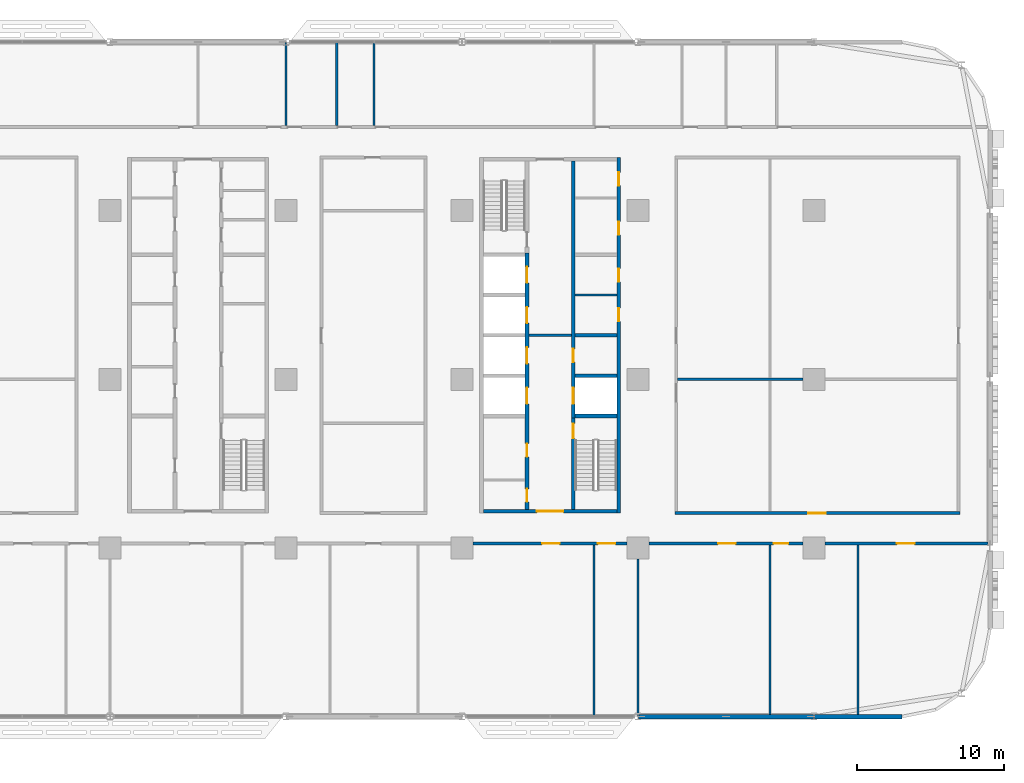
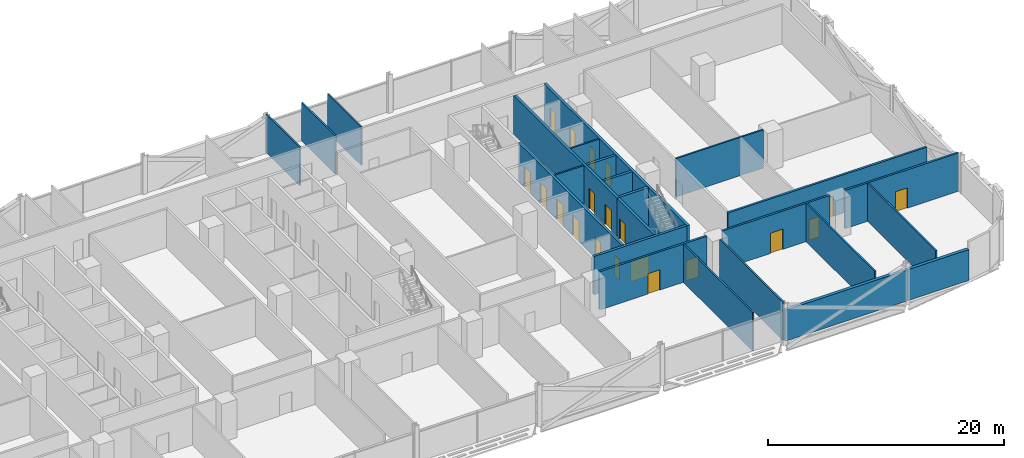
# One storey, part 16 of 29: 24 walls, 20 doors, 20 openings.
"""IFC4 building model written with IfcOpenShell, lengths in metres."""

from ifc_helpers import new_model, si_unit, direction, frame, frame_2d, origin, place, context, subcontext, project, spatial, rectangle, extrude, material, layer, layer_set, type_object, element, fill, save


model = new_model("IFC4")

# Units and contexts
model_context = context("Model", 3, precision=1e-05, world=origin(), true_north=direction((0.0, 1.0)))
body_context = subcontext(model_context, "Body", "Model", "MODEL_VIEW")
ifc_project = project(units=[si_unit("LENGTHUNIT", "METRE"), si_unit("AREAUNIT", "SQUARE_METRE"), si_unit("VOLUMEUNIT", "CUBIC_METRE"), si_unit("PLANEANGLEUNIT", "RADIAN"), si_unit("MASSUNIT", "GRAM", prefix="KILO")], contexts=[model_context])

# Site, building, storey
site_placement = place(None, origin())
site = spatial("IfcSite", under=ifc_project, at=site_placement, CompositionType="ELEMENT")
building_placement = place(site_placement, origin())
building = spatial("IfcBuilding", under=site, at=building_placement, Name="Mahtab Terrace Research Tower", CompositionType="ELEMENT")
storey_placement = place(building_placement, frame((0.0, 0.0, 71.800048828125)))
storey = spatial("IfcBuildingStorey", under=building, at=storey_placement, Name="L16", CompositionType="ELEMENT", Elevation=71.800048828125)

# Walls
ifc_material_1 = material(Name="Gypsum board partition")
ifc_layer_1 = layer(ifc_material_1, 0.14990234375)
ifc_layer_set_1 = layer_set([ifc_layer_1], Name="Core partition 150")
wall_type_1 = type_object("IfcWallType", Name="Core partition 150", PredefinedType="PARTITIONING", material=ifc_layer_set_1)
wall_1_placement = place(storey_placement, frame((22.550048828125, 3.0, 0.0), z_axis=(0.0, 0.0, 1.0), x_axis=(1.0, 0.0, 0.0)))
element("IfcWall", 1, at=wall_1_placement, inside=storey, type_object=wall_type_1, Name="Core wall C ffl", PredefinedType="PARTITIONING", context=body_context, shape_type="SweptSolid", body=[
    extrude(rectangle(XDim=2.89990234375, YDim=0.14990234375, at=frame_2d((1.449951171875, 0.0))), origin(), (0.0, 0.0, 1.0), 3.9599609375),
])
wall_2_placement = place(storey_placement, frame((25.699951171875, 5.75, 0.0), z_axis=(0.0, 0.0, 1.0), x_axis=(1.0, 0.0, 0.0)))
element("IfcWall", 2, at=wall_2_placement, inside=storey, type_object=wall_type_1, Name="Core wall C pEL275", PredefinedType="PARTITIONING", context=body_context, shape_type="SweptSolid", body=[
    extrude(rectangle(XDim=2.85009765625, YDim=0.14990234375, at=frame_2d((1.425048828125, 0.0))), origin(), (0.0, 0.0, 1.0), 3.9599609375),
])

# Wall, openings, doors
ifc_material_2 = material(Name="Concrete C70/85", Category="concrete")
ifc_layer_2 = layer(ifc_material_2, 0.25)
ifc_layer_set_2 = layer_set([ifc_layer_2], Name="Core wall 250")
wall_type_2 = type_object("IfcWallType", Name="Core wall 250", PredefinedType="SOLIDWALL", material=ifc_layer_set_2)
wall_3_placement = place(storey_placement, frame((28.675048828125, -9.125, 0.0), z_axis=(0.0, 0.0, 1.0), x_axis=(0.0, 1.0, 0.0)))
wall_3 = element("IfcWall", 3, at=wall_3_placement, inside=storey, type_object=wall_type_2, Name="Core wall C outerE", PredefinedType="SOLIDWALL", context=body_context, shape_type="SweptSolid", body=[
    extrude(rectangle(XDim=24.25, YDim=0.25, at=frame_2d((12.125, 0.0))), origin(), (0.0, 0.0, 1.0), 3.9599609375),
])
opening_1_placement = place(wall_3_placement, frame((13.074951171875, 0.0, 0.0)))
opening_1 = element("IfcOpeningElement", 4, at=opening_1_placement, cuts=wall_3, Name="Opening C-R2", PredefinedType="OPENING", context=body_context, shape_type="SweptSolid", body=[
    extrude(rectangle(XDim=0.89990234375, YDim=2.10009765625, at=frame_2d((0.449951171875, 1.050048828125))), frame((0.0, 0.135009765625, 0.0), z_axis=(0.0, -1.0, 0.0), x_axis=(1.0, 0.0, 0.0)), (0.0, 0.0, 1.0), 0.27001953125),
])
opening_2_placement = place(wall_3_placement, frame((15.77490234375, 0.0, 0.0)))
opening_2 = element("IfcOpeningElement", 5, at=opening_2_placement, cuts=wall_3, Name="Opening C-R3", PredefinedType="OPENING", context=body_context, shape_type="SweptSolid", body=[
    extrude(rectangle(XDim=0.89990234375, YDim=2.10009765625, at=frame_2d((0.449951171875, 1.050048828125))), frame((0.0, 0.135009765625, 0.0), z_axis=(0.0, -1.0, 0.0), x_axis=(1.0, 0.0, 0.0)), (0.0, 0.0, 1.0), 0.27001953125),
])
opening_3_placement = place(wall_3_placement, frame((18.97509765625, 0.0, 0.0)))
opening_3 = element("IfcOpeningElement", 6, at=opening_3_placement, cuts=wall_3, Name="Opening C-R6", PredefinedType="OPENING", context=body_context, shape_type="SweptSolid", body=[
    extrude(rectangle(XDim=0.89990234375, YDim=2.10009765625, at=frame_2d((0.449951171875, 1.050048828125))), frame((0.0, 0.135009765625, 0.0), z_axis=(0.0, -1.0, 0.0), x_axis=(1.0, 0.0, 0.0)), (0.0, 0.0, 1.0), 0.27001953125),
])
opening_4_placement = place(wall_3_placement, frame((22.327392578125, 0.0, 0.0)))
opening_4 = element("IfcOpeningElement", 7, at=opening_4_placement, cuts=wall_3, Name="Opening C-R7", PredefinedType="OPENING", context=body_context, shape_type="SweptSolid", body=[
    extrude(rectangle(XDim=0.89990234375, YDim=2.10009765625, at=frame_2d((0.449951171875, 1.050048828125))), frame((0.0, 0.135009765625, 0.0), z_axis=(0.0, -1.0, 0.0), x_axis=(1.0, 0.0, 0.0)), (0.0, 0.0, 1.0), 0.27001953125),
])
ifc_material_3 = material(Name="Steel fire door", Category="steel")
door_type_1 = type_object("IfcDoorType", Name="Room door 900x2100 1 HR", OperationType="NOTDEFINED", PredefinedType="DOOR", material=ifc_material_3)
door_1_placement = place(opening_1_placement, origin())
door_1 = element("IfcDoor", 8, at=door_1_placement, inside=storey, type_object=door_type_1, Name="Document store door", OperationType="SINGLE_SWING_RIGHT", OverallHeight=2.10009765625, OverallWidth=0.89990234375, PredefinedType="DOOR", context=body_context, shape_type="SweptSolid", body=[
    extrude(rectangle(XDim=0.89990234375, YDim=2.10009765625, at=frame_2d((0.449951171875, 1.050048828125))), frame((0.0, 0.02490234375, 0.0), z_axis=(0.0, -1.0, 0.0), x_axis=(1.0, 0.0, 0.0)), (0.0, 0.0, 1.0), 0.050048828125),
])
fill(opening_1, door_1)
door_2_placement = place(opening_2_placement, origin())
door_2 = element("IfcDoor", 9, at=door_2_placement, inside=storey, type_object=door_type_1, Name="IT equipment room door", OperationType="SINGLE_SWING_LEFT", OverallHeight=2.10009765625, OverallWidth=0.89990234375, PredefinedType="DOOR", context=body_context, shape_type="SweptSolid", body=[
    extrude(rectangle(XDim=0.89990234375, YDim=2.10009765625, at=frame_2d((0.449951171875, 1.050048828125))), frame((0.0, 0.02490234375, 0.0), z_axis=(0.0, -1.0, 0.0), x_axis=(1.0, 0.0, 0.0)), (0.0, 0.0, 1.0), 0.050048828125),
])
fill(opening_2, door_2)
door_3_placement = place(opening_3_placement, origin())
door_3 = element("IfcDoor", 10, at=door_3_placement, inside=storey, type_object=door_type_1, Name="Pantry door", OperationType="SINGLE_SWING_RIGHT", OverallHeight=2.10009765625, OverallWidth=0.89990234375, PredefinedType="DOOR", context=body_context, shape_type="SweptSolid", body=[
    extrude(rectangle(XDim=0.89990234375, YDim=2.10009765625, at=frame_2d((0.449951171875, 1.050048828125))), frame((0.0, 0.02490234375, 0.0), z_axis=(0.0, -1.0, 0.0), x_axis=(1.0, 0.0, 0.0)), (0.0, 0.0, 1.0), 0.050048828125),
])
fill(opening_3, door_3)
door_4_placement = place(opening_4_placement, origin())
door_4 = element("IfcDoor", 11, at=door_4_placement, inside=storey, type_object=door_type_1, Name="Linen store door", OperationType="SINGLE_SWING_LEFT", OverallHeight=2.10009765625, OverallWidth=0.89990234375, PredefinedType="DOOR", context=body_context, shape_type="SweptSolid", body=[
    extrude(rectangle(XDim=0.89990234375, YDim=2.10009765625, at=frame_2d((0.449951171875, 1.050048828125))), frame((0.0, 0.02490234375, 0.0), z_axis=(0.0, -1.0, 0.0), x_axis=(1.0, 0.0, 0.0)), (0.0, 0.0, 1.0), 0.050048828125),
])
fill(opening_4, door_4)

# Wall, opening, door
wall_4_placement = place(storey_placement, frame((28.550048828125, -9.0, 0.0), z_axis=(0.0, 0.0, 1.0), x_axis=(-1.0, 0.0, 0.0)))
wall_4 = element("IfcWall", 12, at=wall_4_placement, inside=storey, type_object=wall_type_2, Name="Core wall C endS", PredefinedType="SOLIDWALL", context=body_context, shape_type="SweptSolid", body=[
    extrude(rectangle(XDim=9.10009765625, YDim=0.25, at=frame_2d((4.550048828125, 0.0))), origin(), (0.0, 0.0, 1.0), 3.9599609375),
])
opening_5_placement = place(wall_4_placement, frame((3.64990234375, 0.0, 0.0)))
opening_5 = element("IfcOpeningElement", 13, at=opening_5_placement, cuts=wall_4, Name="Opening C-S1", PredefinedType="OPENING", context=body_context, shape_type="SweptSolid", body=[
    extrude(rectangle(XDim=1.800048828125, YDim=2.10009765625, at=frame_2d((0.89990234375, 1.050048828125))), frame((0.0, 0.135009765625, 0.0), z_axis=(0.0, -1.0, 0.0), x_axis=(1.0, 0.0, 0.0)), (0.0, 0.0, 1.0), 0.27001953125),
])
door_type_2 = type_object("IfcDoorType", Name="Lobby double door 1800x2100 1 HR", OperationType="DOUBLE_DOOR_SINGLE_SWING", PredefinedType="DOOR", material=ifc_material_3)
door_5_placement = place(opening_5_placement, origin())
door_5 = element("IfcDoor", 14, at=door_5_placement, inside=storey, type_object=door_type_2, Name="Core entrance door C S", OperationType="DOUBLE_DOOR_SINGLE_SWING", OverallHeight=2.10009765625, OverallWidth=1.800048828125, PredefinedType="DOOR", context=body_context, shape_type="SweptSolid", body=[
    extrude(rectangle(XDim=1.800048828125, YDim=2.10009765625, at=frame_2d((0.89990234375, 1.050048828125))), frame((0.0, 0.02490234375, 0.0), z_axis=(0.0, -1.0, 0.0), x_axis=(1.0, 0.0, 0.0)), (0.0, 0.0, 1.0), 0.050048828125),
])
fill(opening_5, door_5)

# Wall, openings, doors
wall_5_placement = place(storey_placement, frame((22.425048828125, -8.875, 0.0), z_axis=(0.0, 0.0, 1.0), x_axis=(0.0, 1.0, 0.0)))
wall_5 = element("IfcWall", 15, at=wall_5_placement, inside=storey, type_object=wall_type_2, Name="Core wall C innerWSL", PredefinedType="SOLIDWALL", context=body_context, shape_type="SweptSolid", body=[
    extrude(rectangle(XDim=17.5, YDim=0.25, at=frame_2d((8.75, 0.0))), origin(), (0.0, 0.0, 1.0), 3.9599609375),
])
opening_6_placement = place(wall_5_placement, frame((7.199951171875, 0.0, 0.0)))
opening_6 = element("IfcOpeningElement", 16, at=opening_6_placement, cuts=wall_5, Name="Opening LD17-L16", PredefinedType="OPENING", context=body_context, shape_type="SweptSolid", body=[
    extrude(rectangle(XDim=1.10009765625, YDim=2.10009765625, at=frame_2d((0.550048828125, 1.050048828125))), frame((0.0, 0.135009765625, 0.0), z_axis=(0.0, -1.0, 0.0), x_axis=(1.0, 0.0, 0.0)), (0.0, 0.0, 1.0), 0.27001953125),
])
opening_7_placement = place(wall_5_placement, frame((9.949951171875, 0.0, 0.0)))
opening_7 = element("IfcOpeningElement", 17, at=opening_7_placement, cuts=wall_5, Name="Opening LD18-L16", PredefinedType="OPENING", context=body_context, shape_type="SweptSolid", body=[
    extrude(rectangle(XDim=1.10009765625, YDim=2.10009765625, at=frame_2d((0.550048828125, 1.050048828125))), frame((0.0, 0.135009765625, 0.0), z_axis=(0.0, -1.0, 0.0), x_axis=(1.0, 0.0, 0.0)), (0.0, 0.0, 1.0), 0.27001953125),
])
opening_8_placement = place(wall_5_placement, frame((12.699951171875, 0.0, 0.0)))
opening_8 = element("IfcOpeningElement", 18, at=opening_8_placement, cuts=wall_5, Name="Opening LD19-L16", PredefinedType="OPENING", context=body_context, shape_type="SweptSolid", body=[
    extrude(rectangle(XDim=1.10009765625, YDim=2.10009765625, at=frame_2d((0.550048828125, 1.050048828125))), frame((0.0, 0.135009765625, 0.0), z_axis=(0.0, -1.0, 0.0), x_axis=(1.0, 0.0, 0.0)), (0.0, 0.0, 1.0), 0.27001953125),
])
opening_9_placement = place(wall_5_placement, frame((15.449951171875, 0.0, 0.0)))
opening_9 = element("IfcOpeningElement", 19, at=opening_9_placement, cuts=wall_5, Name="Opening LD20-L16", PredefinedType="OPENING", context=body_context, shape_type="SweptSolid", body=[
    extrude(rectangle(XDim=1.10009765625, YDim=2.10009765625, at=frame_2d((0.550048828125, 1.050048828125))), frame((0.0, 0.135009765625, 0.0), z_axis=(0.0, -1.0, 0.0), x_axis=(1.0, 0.0, 0.0)), (0.0, 0.0, 1.0), 0.27001953125),
])
opening_10_placement = place(wall_5_placement, frame((0.512451171875, 0.0, 0.0)))
opening_10 = element("IfcOpeningElement", 20, at=opening_10_placement, cuts=wall_5, Name="Opening C-R4", PredefinedType="OPENING", context=body_context, shape_type="SweptSolid", body=[
    extrude(rectangle(XDim=0.89990234375, YDim=2.10009765625, at=frame_2d((0.449951171875, 1.050048828125))), frame((0.0, 0.135009765625, 0.0), z_axis=(0.0, -1.0, 0.0), x_axis=(1.0, 0.0, 0.0)), (0.0, 0.0, 1.0), 0.27001953125),
])
opening_11_placement = place(wall_5_placement, frame((3.58740234375, 0.0, 0.0)))
opening_11 = element("IfcOpeningElement", 21, at=opening_11_placement, cuts=wall_5, Name="Opening C-R5", PredefinedType="OPENING", context=body_context, shape_type="SweptSolid", body=[
    extrude(rectangle(XDim=0.89990234375, YDim=2.10009765625, at=frame_2d((0.449951171875, 1.050048828125))), frame((0.0, 0.135009765625, 0.0), z_axis=(0.0, -1.0, 0.0), x_axis=(1.0, 0.0, 0.0)), (0.0, 0.0, 1.0), 0.27001953125),
])
ifc_material_4 = material(Name="Stainless steel AISI 304", Category="steel")
door_type_3 = type_object("IfcDoorType", Name="Landing door 1100x2100", OperationType="DOUBLE_DOOR_SLIDING", PredefinedType="DOOR", material=ifc_material_4)
door_6_placement = place(opening_6_placement, origin())
door_6 = element("IfcDoor", 22, at=door_6_placement, inside=storey, type_object=door_type_3, Name="Landing door SV1 L16", OperationType="DOUBLE_DOOR_SLIDING", OverallHeight=2.10009765625, OverallWidth=1.10009765625, PredefinedType="DOOR", context=body_context, shape_type="SweptSolid", body=[
    extrude(rectangle(XDim=1.10009765625, YDim=2.10009765625, at=frame_2d((0.550048828125, 1.050048828125))), frame((0.0, 0.02490234375, 0.0), z_axis=(0.0, -1.0, 0.0), x_axis=(1.0, 0.0, 0.0)), (0.0, 0.0, 1.0), 0.050048828125),
])
fill(opening_6, door_6)
door_7_placement = place(opening_7_placement, origin())
door_7 = element("IfcDoor", 23, at=door_7_placement, inside=storey, type_object=door_type_3, Name="Landing door SV2 L16", OperationType="DOUBLE_DOOR_SLIDING", OverallHeight=2.10009765625, OverallWidth=1.10009765625, PredefinedType="DOOR", context=body_context, shape_type="SweptSolid", body=[
    extrude(rectangle(XDim=1.10009765625, YDim=2.10009765625, at=frame_2d((0.550048828125, 1.050048828125))), frame((0.0, 0.02490234375, 0.0), z_axis=(0.0, -1.0, 0.0), x_axis=(1.0, 0.0, 0.0)), (0.0, 0.0, 1.0), 0.050048828125),
])
fill(opening_7, door_7)
door_8_placement = place(opening_8_placement, origin())
door_8 = element("IfcDoor", 24, at=door_8_placement, inside=storey, type_object=door_type_3, Name="Landing door FF1 L16", OperationType="DOUBLE_DOOR_SLIDING", OverallHeight=2.10009765625, OverallWidth=1.10009765625, PredefinedType="DOOR", context=body_context, shape_type="SweptSolid", body=[
    extrude(rectangle(XDim=1.10009765625, YDim=2.10009765625, at=frame_2d((0.550048828125, 1.050048828125))), frame((0.0, 0.02490234375, 0.0), z_axis=(0.0, -1.0, 0.0), x_axis=(1.0, 0.0, 0.0)), (0.0, 0.0, 1.0), 0.050048828125),
])
fill(opening_8, door_8)
door_9_placement = place(opening_9_placement, origin())
door_9 = element("IfcDoor", 25, at=door_9_placement, inside=storey, type_object=door_type_3, Name="Landing door FF2 L16", OperationType="DOUBLE_DOOR_SLIDING", OverallHeight=2.10009765625, OverallWidth=1.10009765625, PredefinedType="DOOR", context=body_context, shape_type="SweptSolid", body=[
    extrude(rectangle(XDim=1.10009765625, YDim=2.10009765625, at=frame_2d((0.550048828125, 1.050048828125))), frame((0.0, 0.02490234375, 0.0), z_axis=(0.0, -1.0, 0.0), x_axis=(1.0, 0.0, 0.0)), (0.0, 0.0, 1.0), 0.050048828125),
])
fill(opening_9, door_9)
door_10_placement = place(opening_10_placement, origin())
door_10 = element("IfcDoor", 26, at=door_10_placement, inside=storey, type_object=door_type_1, Name="Accessible WC door", OperationType="SINGLE_SWING_RIGHT", OverallHeight=2.10009765625, OverallWidth=0.89990234375, PredefinedType="DOOR", context=body_context, shape_type="SweptSolid", body=[
    extrude(rectangle(XDim=0.89990234375, YDim=2.10009765625, at=frame_2d((0.449951171875, 1.050048828125))), frame((0.0, 0.02490234375, 0.0), z_axis=(0.0, -1.0, 0.0), x_axis=(1.0, 0.0, 0.0)), (0.0, 0.0, 1.0), 0.050048828125),
])
fill(opening_10, door_10)
door_11_placement = place(opening_11_placement, origin())
door_11 = element("IfcDoor", 27, at=door_11_placement, inside=storey, type_object=door_type_1, Name="WC block door", OperationType="SINGLE_SWING_LEFT", OverallHeight=2.10009765625, OverallWidth=0.89990234375, PredefinedType="DOOR", context=body_context, shape_type="SweptSolid", body=[
    extrude(rectangle(XDim=0.89990234375, YDim=2.10009765625, at=frame_2d((0.449951171875, 1.050048828125))), frame((0.0, 0.02490234375, 0.0), z_axis=(0.0, -1.0, 0.0), x_axis=(1.0, 0.0, 0.0)), (0.0, 0.0, 1.0), 0.050048828125),
])
fill(opening_11, door_11)

# Wall, opening, door
wall_6_placement = place(storey_placement, frame((25.574951171875, -8.875, 0.0), z_axis=(0.0, 0.0, 1.0), x_axis=(0.0, 1.0, 0.0)))
wall_6 = element("IfcWall", 28, at=wall_6_placement, inside=storey, type_object=wall_type_2, Name="Core wall C innerES", PredefinedType="SOLIDWALL", context=body_context, shape_type="SweptSolid", body=[
    extrude(rectangle(XDim=6.25, YDim=0.25, at=frame_2d((3.125, 0.0))), origin(), (0.0, 0.0, 1.0), 3.9599609375),
])
opening_12_placement = place(wall_6_placement, frame((4.85009765625, 0.0, 0.0)))
opening_12 = element("IfcOpeningElement", 29, at=opening_12_placement, cuts=wall_6, Name="Opening C-ST4", PredefinedType="OPENING", context=body_context, shape_type="SweptSolid", body=[
    extrude(rectangle(XDim=1.0, YDim=2.10009765625, at=frame_2d((0.5, 1.050048828125))), frame((0.0, 0.135009765625, 0.0), z_axis=(0.0, -1.0, 0.0), x_axis=(1.0, 0.0, 0.0)), (0.0, 0.0, 1.0), 0.27001953125),
])
door_type_4 = type_object("IfcDoorType", Name="Stair door 1000x2100 1.5 HR", OperationType="NOTDEFINED", PredefinedType="DOOR", material=ifc_material_3)
door_12_placement = place(opening_12_placement, origin())
door_12 = element("IfcDoor", 30, at=door_12_placement, inside=storey, type_object=door_type_4, Name="Stair door ST4 L16", OperationType="SINGLE_SWING_LEFT", OverallHeight=2.10009765625, OverallWidth=1.0, PredefinedType="DOOR", context=body_context, shape_type="SweptSolid", body=[
    extrude(rectangle(XDim=1.0, YDim=2.10009765625, at=frame_2d((0.5, 1.050048828125))), frame((0.0, 0.02490234375, 0.0), z_axis=(0.0, -1.0, 0.0), x_axis=(1.0, 0.0, 0.0)), (0.0, 0.0, 1.0), 0.050048828125),
])
fill(opening_12, door_12)

# Wall, openings, doors
wall_7_placement = place(storey_placement, frame((25.574951171875, 14.875, 0.0), z_axis=(0.0, 0.0, 1.0), x_axis=(0.0, -1.0, 0.0)))
wall_7 = element("IfcWall", 31, at=wall_7_placement, inside=storey, type_object=wall_type_2, Name="Core wall C innerELN", PredefinedType="SOLIDWALL", context=body_context, shape_type="SweptSolid", body=[
    extrude(rectangle(XDim=17.5, YDim=0.25, at=frame_2d((8.75, 0.0))), origin(), (0.0, 0.0, 1.0), 3.9599609375),
])
opening_13_placement = place(wall_7_placement, frame((15.449951171875, 0.0, 0.0)))
opening_13 = element("IfcOpeningElement", 32, at=opening_13_placement, cuts=wall_7, Name="Opening LD21-L16", PredefinedType="OPENING", context=body_context, shape_type="SweptSolid", body=[
    extrude(rectangle(XDim=1.10009765625, YDim=2.10009765625, at=frame_2d((0.550048828125, 1.050048828125))), frame((0.0, 0.135009765625, 0.0), z_axis=(0.0, -1.0, 0.0), x_axis=(1.0, 0.0, 0.0)), (0.0, 0.0, 1.0), 0.27001953125),
])
opening_14_placement = place(wall_7_placement, frame((12.800048828125, 0.0, 0.0)))
opening_14 = element("IfcOpeningElement", 33, at=opening_14_placement, cuts=wall_7, Name="Opening C-R1", PredefinedType="OPENING", context=body_context, shape_type="SweptSolid", body=[
    extrude(rectangle(XDim=0.89990234375, YDim=2.10009765625, at=frame_2d((0.449951171875, 1.050048828125))), frame((0.0, 0.135009765625, 0.0), z_axis=(0.0, -1.0, 0.0), x_axis=(1.0, 0.0, 0.0)), (0.0, 0.0, 1.0), 0.27001953125),
])
door_13_placement = place(opening_13_placement, origin())
door_13 = element("IfcDoor", 34, at=door_13_placement, inside=storey, type_object=door_type_3, Name="Landing door SV3 L16", OperationType="DOUBLE_DOOR_SLIDING", OverallHeight=2.10009765625, OverallWidth=1.10009765625, PredefinedType="DOOR", context=body_context, shape_type="SweptSolid", body=[
    extrude(rectangle(XDim=1.10009765625, YDim=2.10009765625, at=frame_2d((0.550048828125, 1.050048828125))), frame((0.0, 0.02490234375, 0.0), z_axis=(0.0, -1.0, 0.0), x_axis=(1.0, 0.0, 0.0)), (0.0, 0.0, 1.0), 0.050048828125),
])
fill(opening_13, door_13)
door_14_placement = place(opening_14_placement, origin())
door_14 = element("IfcDoor", 35, at=door_14_placement, inside=storey, type_object=door_type_1, Name="Plant room door", OperationType="SINGLE_SWING_LEFT", OverallHeight=2.10009765625, OverallWidth=0.89990234375, PredefinedType="DOOR", context=body_context, shape_type="SweptSolid", body=[
    extrude(rectangle(XDim=0.89990234375, YDim=2.10009765625, at=frame_2d((0.449951171875, 1.050048828125))), frame((0.0, 0.02490234375, 0.0), z_axis=(0.0, -1.0, 0.0), x_axis=(1.0, 0.0, 0.0)), (0.0, 0.0, 1.0), 0.050048828125),
])
fill(opening_14, door_14)

# Walls
for number, where, z_axis, x_axis, name in (
    (36, (25.699951171875, -2.5, 0.0), (0.0, 0.0, 1.0), (1.0, 0.0, 0.0), "Core wall C divE0"),
    (37, (25.699951171875, 0.25, 0.0), (0.0, 0.0, 1.0), (1.0, 0.0, 0.0), "Core wall C divE1"),
    (38, (25.699951171875, 3.0, 0.0), (0.0, 0.0, 1.0), (1.0, 0.0, 0.0), "Core wall C divE2"),
):
    element("IfcWall", number, at=place(storey_placement, frame(where, z_axis=z_axis, x_axis=x_axis)), inside=storey, type_object=wall_type_2, Name=name, PredefinedType="SOLIDWALL", context=body_context, shape_type="SweptSolid", body=[
        extrude(rectangle(XDim=2.85009765625, YDim=0.25, at=frame_2d((1.425048828125, 0.0))), origin(), (0.0, 0.0, 1.0), 3.9599609375),
    ])
ifc_material_5 = material(Name="Black aluminium cladding panel", Category="aluminium")
ifc_layer_3 = layer(ifc_material_5, 0.300048828125)
ifc_layer_set_3 = layer_set([ifc_layer_3], Name="Opaque facade wall 300")
wall_type_3 = type_object("IfcWallType", Name="Opaque facade wall 300", PredefinedType="NOTDEFINED", material=ifc_layer_set_3)
wall_8_placement = place(storey_placement, frame((30.02392578125, -23.0, 0.0), z_axis=(0.0, 0.0, 1.0), x_axis=(1.0, 0.0, 0.0)))
element("IfcWall", 39, at=wall_8_placement, inside=storey, type_object=wall_type_3, Name="Opaque facade wall L16 S29", PredefinedType="NOTDEFINED", context=body_context, shape_type="SweptSolid", body=[
    extrude(rectangle(XDim=11.9521484375, YDim=0.300048828125, at=frame_2d((5.97607421875, 0.0))), origin(), (0.0, 0.0, 1.0), 3.203125),
])
wall_9_placement = place(storey_placement, frame((42.02392578125, -23.0, 0.0), z_axis=(0.0, 0.0, 1.0), x_axis=(1.0, 0.0, 0.0)))
element("IfcWall", 40, at=wall_9_placement, inside=storey, type_object=wall_type_3, Name="Opaque facade wall L16 S30", PredefinedType="NOTDEFINED", context=body_context, shape_type="SweptSolid", body=[
    extrude(rectangle(XDim=5.97607421875, YDim=0.300048828125, at=frame_2d((2.988037109375, 0.0))), origin(), (0.0, 0.0, 1.0), 3.203125),
])

# Wall, openings, doors
ifc_material_6 = material(Name="Gypsum board corridor wall on steel studs", Category="steel")
ifc_layer_4 = layer(ifc_material_6, 0.199951171875)
ifc_layer_set_4 = layer_set([ifc_layer_4], Name="WALL CORRIDOR 200")
wall_type_4 = type_object("IfcWallType", Name="WALL CORRIDOR 200", PredefinedType="PARTITIONING", material=ifc_layer_set_4)
wall_10_placement = place(storey_placement, frame((18.75, -11.199951171875, 0.0), z_axis=(0.0, 0.0, 1.0), x_axis=(1.0, 0.0, 0.0)))
wall_10 = element("IfcWall", 41, at=wall_10_placement, inside=storey, type_object=wall_type_4, Name="L16-W006", PredefinedType="PARTITIONING", context=body_context, shape_type="SweptSolid", body=[
    extrude(rectangle(XDim=10.5, YDim=0.199951171875, at=frame_2d((5.25, 0.0))), origin(), (0.0, 0.0, 1.0), 3.9599609375),
])
opening_15_placement = place(wall_10_placement, frame((4.699951171875, 0.0, 0.0)))
opening_15 = element("IfcOpeningElement", 42, at=opening_15_placement, cuts=wall_10, Name="Opening L16-109", PredefinedType="OPENING", context=body_context, shape_type="SweptSolid", body=[
    extrude(rectangle(XDim=1.199951171875, YDim=2.10009765625, at=frame_2d((0.60009765625, 1.050048828125))), frame((0.0, 0.10986328125, 0.0), z_axis=(0.0, -1.0, 0.0), x_axis=(1.0, 0.0, 0.0)), (0.0, 0.0, 1.0), 0.219970703125),
])
opening_16_placement = place(wall_10_placement, frame((8.5, 0.0, 0.0)))
opening_16 = element("IfcOpeningElement", 43, at=opening_16_placement, cuts=wall_10, Name="Opening L16-110", PredefinedType="OPENING", context=body_context, shape_type="SweptSolid", body=[
    extrude(rectangle(XDim=1.199951171875, YDim=2.10009765625, at=frame_2d((0.60009765625, 1.050048828125))), frame((0.0, 0.10986328125, 0.0), z_axis=(0.0, -1.0, 0.0), x_axis=(1.0, 0.0, 0.0)), (0.0, 0.0, 1.0), 0.219970703125),
])
ifc_material_7 = material(Name="Timber door leaf in steel frame", Category="steel")
door_type_5 = type_object("IfcDoorType", Name="DOOR 1200X2100 FD30S", OperationType="SINGLE_SWING_LEFT", PredefinedType="DOOR", material=ifc_material_7)
door_15_placement = place(opening_15_placement, origin())
door_15 = element("IfcDoor", 44, at=door_15_placement, inside=storey, type_object=door_type_5, Name="Door L16-109", OperationType="SINGLE_SWING_LEFT", OverallHeight=2.10009765625, OverallWidth=1.199951171875, PredefinedType="DOOR", context=body_context, shape_type="SweptSolid", body=[
    extrude(rectangle(XDim=1.199951171875, YDim=2.10009765625, at=frame_2d((0.60009765625, 1.050048828125))), frame((0.0, 0.02490234375, 0.0), z_axis=(0.0, -1.0, 0.0), x_axis=(1.0, 0.0, 0.0)), (0.0, 0.0, 1.0), 0.050048828125),
])
fill(opening_15, door_15)
door_16_placement = place(opening_16_placement, origin())
door_16 = element("IfcDoor", 45, at=door_16_placement, inside=storey, type_object=door_type_5, Name="Door L16-110", OperationType="SINGLE_SWING_LEFT", OverallHeight=2.10009765625, OverallWidth=1.199951171875, PredefinedType="DOOR", context=body_context, shape_type="SweptSolid", body=[
    extrude(rectangle(XDim=1.199951171875, YDim=2.10009765625, at=frame_2d((0.60009765625, 1.050048828125))), frame((0.0, 0.02490234375, 0.0), z_axis=(0.0, -1.0, 0.0), x_axis=(1.0, 0.0, 0.0)), (0.0, 0.0, 1.0), 0.050048828125),
])
fill(opening_16, door_16)

wall_11_placement = place(storey_placement, frame((30.75, -11.199951171875, 0.0), z_axis=(0.0, 0.0, 1.0), x_axis=(1.0, 0.0, 0.0)))
wall_11 = element("IfcWall", 46, at=wall_11_placement, inside=storey, type_object=wall_type_4, Name="L16-W007", PredefinedType="PARTITIONING", context=body_context, shape_type="SweptSolid", body=[
    extrude(rectangle(XDim=10.5, YDim=0.199951171875, at=frame_2d((5.25, 0.0))), origin(), (0.0, 0.0, 1.0), 3.9599609375),
])
opening_17_placement = place(wall_11_placement, frame((4.699951171875, 0.0, 0.0)))
opening_17 = element("IfcOpeningElement", 47, at=opening_17_placement, cuts=wall_11, Name="Opening L16-111", PredefinedType="OPENING", context=body_context, shape_type="SweptSolid", body=[
    extrude(rectangle(XDim=1.199951171875, YDim=2.10009765625, at=frame_2d((0.60009765625, 1.050048828125))), frame((0.0, 0.10986328125, 0.0), z_axis=(0.0, -1.0, 0.0), x_axis=(1.0, 0.0, 0.0)), (0.0, 0.0, 1.0), 0.219970703125),
])
opening_18_placement = place(wall_11_placement, frame((8.5, 0.0, 0.0)))
opening_18 = element("IfcOpeningElement", 48, at=opening_18_placement, cuts=wall_11, Name="Opening L16-112", PredefinedType="OPENING", context=body_context, shape_type="SweptSolid", body=[
    extrude(rectangle(XDim=1.0, YDim=2.10009765625, at=frame_2d((0.5, 1.050048828125))), frame((0.0, 0.10986328125, 0.0), z_axis=(0.0, -1.0, 0.0), x_axis=(1.0, 0.0, 0.0)), (0.0, 0.0, 1.0), 0.219970703125),
])
door_type_6 = type_object("IfcDoorType", Name="DOOR 1000X2100 FD30S", OperationType="SINGLE_SWING_LEFT", PredefinedType="DOOR", material=ifc_material_7)
door_17_placement = place(opening_18_placement, origin())
door_17 = element("IfcDoor", 49, at=door_17_placement, inside=storey, type_object=door_type_6, Name="Door L16-112", OperationType="SINGLE_SWING_LEFT", OverallHeight=2.10009765625, OverallWidth=1.0, PredefinedType="DOOR", context=body_context, shape_type="SweptSolid", body=[
    extrude(rectangle(XDim=1.0, YDim=2.10009765625, at=frame_2d((0.5, 1.050048828125))), frame((0.0, 0.02490234375, 0.0), z_axis=(0.0, -1.0, 0.0), x_axis=(1.0, 0.0, 0.0)), (0.0, 0.0, 1.0), 0.050048828125),
])
fill(opening_18, door_17)
door_18_placement = place(opening_17_placement, origin())
door_18 = element("IfcDoor", 50, at=door_18_placement, inside=storey, type_object=door_type_5, Name="Door L16-111", OperationType="SINGLE_SWING_LEFT", OverallHeight=2.10009765625, OverallWidth=1.199951171875, PredefinedType="DOOR", context=body_context, shape_type="SweptSolid", body=[
    extrude(rectangle(XDim=1.199951171875, YDim=2.10009765625, at=frame_2d((0.60009765625, 1.050048828125))), frame((0.0, 0.02490234375, 0.0), z_axis=(0.0, -1.0, 0.0), x_axis=(1.0, 0.0, 0.0)), (0.0, 0.0, 1.0), 0.050048828125),
])
fill(opening_17, door_18)

# Wall, opening, door
wall_12_placement = place(storey_placement, frame((42.75, -11.199951171875, 0.0), z_axis=(0.0, 0.0, 1.0), x_axis=(1.0, 0.0, 0.0)))
wall_12 = element("IfcWall", 51, at=wall_12_placement, inside=storey, type_object=wall_type_4, Name="L16-W008", PredefinedType="PARTITIONING", context=body_context, shape_type="SweptSolid", body=[
    extrude(rectangle(XDim=11.10009765625, YDim=0.199951171875, at=frame_2d((5.550048828125, 0.0))), origin(), (0.0, 0.0, 1.0), 3.9599609375),
])
opening_19_placement = place(wall_12_placement, frame((4.89990234375, 0.0, 0.0)))
opening_19 = element("IfcOpeningElement", 52, at=opening_19_placement, cuts=wall_12, Name="Opening L16-113", PredefinedType="OPENING", context=body_context, shape_type="SweptSolid", body=[
    extrude(rectangle(XDim=1.199951171875, YDim=2.10009765625, at=frame_2d((0.60009765625, 1.050048828125))), frame((0.0, 0.10986328125, 0.0), z_axis=(0.0, -1.0, 0.0), x_axis=(1.0, 0.0, 0.0)), (0.0, 0.0, 1.0), 0.219970703125),
])
door_19_placement = place(opening_19_placement, origin())
door_19 = element("IfcDoor", 53, at=door_19_placement, inside=storey, type_object=door_type_5, Name="Door L16-113", OperationType="SINGLE_SWING_RIGHT", OverallHeight=2.10009765625, OverallWidth=1.199951171875, PredefinedType="DOOR", context=body_context, shape_type="SweptSolid", body=[
    extrude(rectangle(XDim=1.199951171875, YDim=2.10009765625, at=frame_2d((0.60009765625, 1.050048828125))), frame((0.0, 0.02490234375, 0.0), z_axis=(0.0, -1.0, 0.0), x_axis=(1.0, 0.0, 0.0)), (0.0, 0.0, 1.0), 0.050048828125),
])
fill(opening_19, door_19)

wall_13_placement = place(storey_placement, frame((32.5, -9.125, 0.0), z_axis=(0.0, 0.0, 1.0), x_axis=(1.0, 0.0, 0.0)))
wall_13 = element("IfcWall", 54, at=wall_13_placement, inside=storey, type_object=wall_type_4, Name="L16-W012", PredefinedType="PARTITIONING", context=body_context, shape_type="SweptSolid", body=[
    extrude(rectangle(XDim=19.449951171875, YDim=0.199951171875, at=frame_2d((9.72509765625, 0.0))), origin(), (0.0, 0.0, 1.0), 3.9599609375),
])
opening_20_placement = place(wall_13_placement, frame((9.10009765625, 0.0, 0.0)))
opening_20 = element("IfcOpeningElement", 55, at=opening_20_placement, cuts=wall_13, Name="Opening L16-118", PredefinedType="OPENING", context=body_context, shape_type="SweptSolid", body=[
    extrude(rectangle(XDim=1.199951171875, YDim=2.10009765625, at=frame_2d((0.60009765625, 1.050048828125))), frame((0.0, 0.10986328125, 0.0), z_axis=(0.0, -1.0, 0.0), x_axis=(1.0, 0.0, 0.0)), (0.0, 0.0, 1.0), 0.219970703125),
])
door_20_placement = place(opening_20_placement, origin())
door_20 = element("IfcDoor", 56, at=door_20_placement, inside=storey, type_object=door_type_5, Name="Door L16-118", OperationType="SINGLE_SWING_LEFT", OverallHeight=2.10009765625, OverallWidth=1.199951171875, PredefinedType="DOOR", context=body_context, shape_type="SweptSolid", body=[
    extrude(rectangle(XDim=1.199951171875, YDim=2.10009765625, at=frame_2d((0.60009765625, 1.050048828125))), frame((0.0, 0.02490234375, 0.0), z_axis=(0.0, -1.0, 0.0), x_axis=(1.0, 0.0, 0.0)), (0.0, 0.0, 1.0), 0.050048828125),
])
fill(opening_20, door_20)

# Walls
ifc_material_8 = material(Name="Gypsum board partition on steel studs", Category="steel")
ifc_layer_5 = layer(ifc_material_8, 0.14990234375)
ifc_layer_set_5 = layer_set([ifc_layer_5], Name="WALL PARTITION 150")
wall_type_5 = type_object("IfcWallType", Name="WALL PARTITION 150", PredefinedType="PARTITIONING", material=ifc_layer_set_5)
wall_14_placement = place(storey_placement, frame((32.699951171875, 0.0, 0.0), z_axis=(0.0, 0.0, 1.0), x_axis=(1.0, 0.0, 0.0)))
element("IfcWall", 57, at=wall_14_placement, inside=storey, type_object=wall_type_5, Name="L16-W016", PredefinedType="PARTITIONING", context=body_context, shape_type="SweptSolid", body=[
    extrude(rectangle(XDim=8.550048828125, YDim=0.14990234375, at=frame_2d((4.27490234375, 0.0))), origin(), (0.0, 0.0, 1.0), 3.9599609375),
])
for number, where, z_axis, x_axis, name in (
    (58, (6.0, 17.300048828125, 0.0), (0.0, 0.0, 1.0), (0.0, 1.0, 0.0), "L16-W040"),
    (59, (9.449951171875, 17.300048828125, 0.0), (0.0, 0.0, 1.0), (0.0, 1.0, 0.0), "L16-W043"),
    (60, (12.0, 17.300048828125, 0.0), (0.0, 0.0, 1.0), (0.0, 1.0, 0.0), "L16-W044"),
):
    element("IfcWall", number, at=place(storey_placement, frame(where, z_axis=z_axis, x_axis=x_axis)), inside=storey, type_object=wall_type_5, Name=name, PredefinedType="PARTITIONING", context=body_context, shape_type="SweptSolid", body=[
        extrude(rectangle(XDim=5.675048828125, YDim=0.14990234375, at=frame_2d((2.83740234375, 0.0))), origin(), (0.0, 0.0, 1.0), 3.9599609375),
    ])
wall_15_placement = place(storey_placement, frame((27.0, -22.97509765625, 0.0), z_axis=(0.0, 0.0, 1.0), x_axis=(0.0, 1.0, 0.0)))
element("IfcWall", 61, at=wall_15_placement, inside=storey, type_object=wall_type_5, Name="L16-W047", PredefinedType="PARTITIONING", context=body_context, shape_type="SweptSolid", body=[
    extrude(rectangle(XDim=11.675048828125, YDim=0.14990234375, at=frame_2d((5.83740234375, 0.0))), origin(), (0.0, 0.0, 1.0), 3.9599609375),
])
wall_16_placement = place(storey_placement, frame((30.0, -22.97509765625, 0.0), z_axis=(0.0, 0.0, 1.0), x_axis=(0.0, 1.0, 0.0)))
element("IfcWall", 62, at=wall_16_placement, inside=storey, type_object=wall_type_5, Name="L16-W049", PredefinedType="PARTITIONING", context=body_context, shape_type="SweptSolid", body=[
    extrude(rectangle(XDim=10.72509765625, YDim=0.14990234375, at=frame_2d((5.362548828125, 0.0))), origin(), (0.0, 0.0, 1.0), 3.9599609375),
])
for number, where, z_axis, x_axis, name in (
    (63, (39.0, -22.85009765625, 0.0), (0.0, 0.0, 1.0), (0.0, 1.0, 0.0), "L16-W053"),
    (64, (45.0, -22.85009765625, 0.0), (0.0, 0.0, 1.0), (0.0, 1.0, 0.0), "L16-W056"),
):
    element("IfcWall", number, at=place(storey_placement, frame(where, z_axis=z_axis, x_axis=x_axis)), inside=storey, type_object=wall_type_5, Name=name, PredefinedType="PARTITIONING", context=body_context, shape_type="SweptSolid", body=[
        extrude(rectangle(XDim=11.550048828125, YDim=0.14990234375, at=frame_2d((5.77490234375, 0.0))), origin(), (0.0, 0.0, 1.0), 3.9599609375),
    ])

save(model, "model.ifc")
